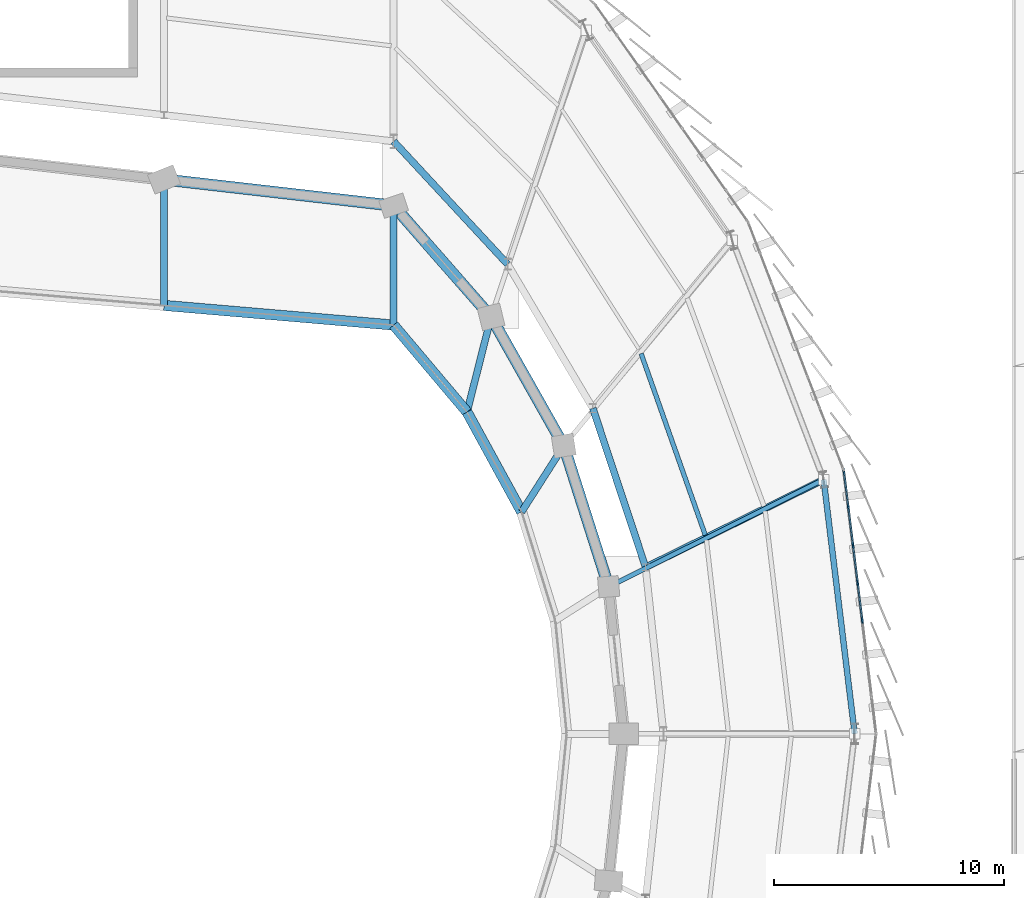
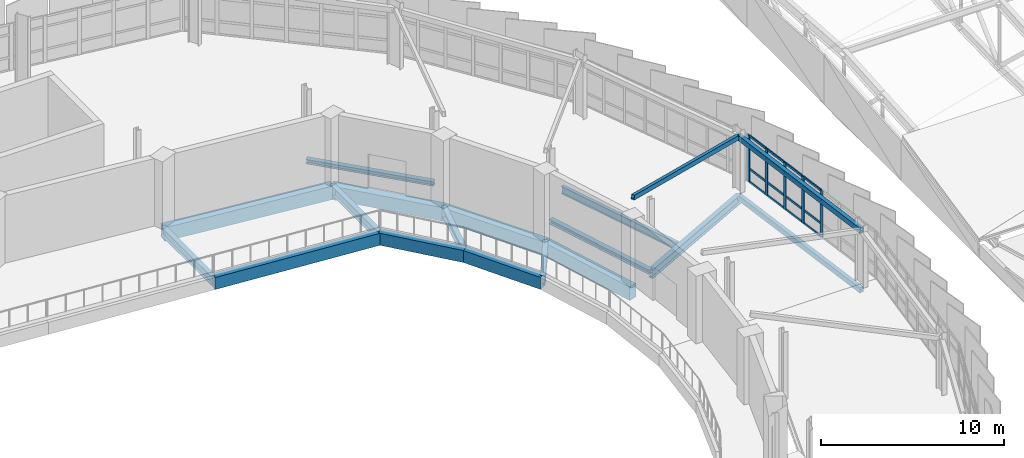
# One storey, part 45 of 87: 23 members, 16 beams, 1 element without a shape of its own.
"""IFC4 building model written with IfcOpenShell, lengths in metres."""

from ifc_helpers import new_model, si_unit, direction, frame, origin, origin_2d, place, context, subcontext, project, spatial, rectangle, hollow_rectangle, i_section, extrude, material, layer, layer_set, material_profile, profile_set, type_object, element, aggregate, save


model = new_model("IFC4")

# Units and contexts
model_context = context("Model", 3, precision=1e-05, world=origin(), true_north=direction((0.0, 1.0)))
body_context = subcontext(model_context, "Body", "Model", "MODEL_VIEW")
ifc_project = project(units=[si_unit("LENGTHUNIT", "METRE"), si_unit("AREAUNIT", "SQUARE_METRE"), si_unit("VOLUMEUNIT", "CUBIC_METRE"), si_unit("PLANEANGLEUNIT", "RADIAN"), si_unit("MASSUNIT", "GRAM", prefix="KILO")], contexts=[model_context])

# Site, building, storey
site_placement = place(None, origin())
site = spatial("IfcSite", under=ifc_project, at=site_placement, CompositionType="ELEMENT")
building_placement = place(site_placement, origin())
building = spatial("IfcBuilding", under=site, at=building_placement, Name="Sohan Crest Arena", CompositionType="ELEMENT")
storey_placement = place(building_placement, frame((0.0, 0.0, 18.0)))
storey = spatial("IfcBuildingStorey", under=building, at=storey_placement, Name="L04", CompositionType="ELEMENT", Elevation=18.0)

# Curtain wall, members
ifc_material_1 = material(Name="Thermally broken anodised aluminium", Category="aluminium")
ifc_layer = layer(ifc_material_1, 0.2099609375, Name="Thermally broken anodised aluminium")
ifc_layer_set = layer_set([ifc_layer], Name="Thermally broken anodised aluminium")
curtain_wall_type = type_object("IfcCurtainWallType", Name="ARC-CW06", PredefinedType="NOTDEFINED", material=ifc_layer_set)
curtain_wall_placement = place(storey_placement, origin())
curtain_wall = element("IfcCurtainWall", 1, at=curtain_wall_placement, inside=storey, type_object=curtain_wall_type, Name="Unitised curtain wall CW-135", PredefinedType="NOTDEFINED")
ifc_material_profile_1 = material_profile(ifc_material_1, rectangle(XDim=0.074951171875, YDim=0.219970703125, at=origin_2d()), Name="ALU-MULL 75x220")
ifc_profile_set_1 = profile_set([ifc_material_profile_1], Name="Thermally broken anodised aluminium")
member_type_1 = type_object("IfcMemberType", Name="ARC-CW-ML04", PredefinedType="MULLION", material=ifc_profile_set_1)
member_1_placement = place(storey_placement, frame((188.40673828125, 82.9267578125, 0.0), z_axis=(0.0, 0.0, 1.0), x_axis=(-0.992488933309, -0.122334448372, 0.0)))
member_1 = element("IfcMember", 2, at=member_1_placement, type_object=member_type_1, Name="CW-135 mullion 4", PredefinedType="MULLION", context=body_context, shape_type="SweptSolid", body=[
    extrude(rectangle(XDim=0.074951171875, YDim=0.219970703125, at=origin_2d()), origin(), (0.0, 0.0, 1.0), 3.1201171875),
])
member_2_placement = place(storey_placement, frame((188.204345703125, 84.569091796875, 0.0), z_axis=(0.0, 0.0, 1.0), x_axis=(-0.992488933309, -0.122334448372, 0.0)))
member_2 = element("IfcMember", 3, at=member_2_placement, type_object=member_type_1, Name="CW-135 mullion 5", PredefinedType="MULLION", context=body_context, shape_type="SweptSolid", body=[
    extrude(rectangle(XDim=0.074951171875, YDim=0.219970703125, at=origin_2d()), origin(), (0.0, 0.0, 1.0), 3.1201171875),
])
member_3_placement = place(storey_placement, frame((188.001953125, 86.21142578125, 0.0), z_axis=(0.0, 0.0, 1.0), x_axis=(-0.992488933309, -0.122334448372, 0.0)))
member_3 = element("IfcMember", 4, at=member_3_placement, type_object=member_type_1, Name="CW-135 mullion 6", PredefinedType="MULLION", context=body_context, shape_type="SweptSolid", body=[
    extrude(rectangle(XDim=0.074951171875, YDim=0.219970703125, at=origin_2d()), origin(), (0.0, 0.0, 1.0), 3.1201171875),
])
member_4_placement = place(storey_placement, frame((187.79931640625, 87.853759765625, 0.0), z_axis=(0.0, 0.0, 1.0), x_axis=(-0.992488933309, -0.122334448372, 0.0)))
member_4 = element("IfcMember", 5, at=member_4_placement, type_object=member_type_1, Name="CW-135 mullion 7", PredefinedType="MULLION", context=body_context, shape_type="SweptSolid", body=[
    extrude(rectangle(XDim=0.074951171875, YDim=0.219970703125, at=origin_2d()), origin(), (0.0, 0.0, 1.0), 3.1201171875),
])
member_5_placement = place(storey_placement, frame((187.6015625, 89.458740234375, 0.0), z_axis=(0.0, 0.0, 1.0), x_axis=(-0.992488933309, -0.122334448372, 0.0)))
member_5 = element("IfcMember", 6, at=member_5_placement, type_object=member_type_1, Name="CW-135 mullion 8", PredefinedType="MULLION", context=body_context, shape_type="SweptSolid", body=[
    extrude(rectangle(XDim=0.074951171875, YDim=0.219970703125, at=origin_2d()), origin(), (0.0, 0.0, 1.0), 3.1201171875),
])
ifc_material_profile_2 = material_profile(ifc_material_1, rectangle(XDim=0.070068359375, YDim=0.14990234375, at=origin_2d()), Name="ALU-TRAN 70x150")
ifc_profile_set_2 = profile_set([ifc_material_profile_2], Name="Thermally broken anodised aluminium")
member_type_2 = type_object("IfcMemberType", Name="ARC-CW-TR03", PredefinedType="USERDEFINED", material=ifc_profile_set_2)
member_6_placement = place(storey_placement, frame((188.402099609375, 82.964111328125, 0.034912109375), z_axis=(-0.122246545247, 0.99249976432, 0.0), x_axis=(-0.99249976432, -0.122246545247, 0.0)))
member_6 = element("IfcMember", 7, at=member_6_placement, type_object=member_type_2, Name="CW-135 transom 4.1", ObjectType="TRANSOM", PredefinedType="USERDEFINED", context=body_context, shape_type="SweptSolid", body=[
    extrude(rectangle(XDim=0.070068359375, YDim=0.14990234375, at=origin_2d()), origin(), (0.0, 0.0, 1.0), 1.579833984375),
])
member_7_placement = place(storey_placement, frame((188.402099609375, 82.964111328125, 0.89990234375), z_axis=(-0.122246545247, 0.99249976432, 0.0), x_axis=(-0.99249976432, -0.122246545247, 0.0)))
member_7 = element("IfcMember", 8, at=member_7_placement, type_object=member_type_2, Name="CW-135 transom 4.2", ObjectType="TRANSOM", PredefinedType="USERDEFINED", context=body_context, shape_type="SweptSolid", body=[
    extrude(rectangle(XDim=0.070068359375, YDim=0.14990234375, at=origin_2d()), origin(), (0.0, 0.0, 1.0), 1.579833984375),
])
member_8_placement = place(storey_placement, frame((188.402099609375, 82.964111328125, 2.419921875), z_axis=(-0.122246545247, 0.99249976432, 0.0), x_axis=(-0.99249976432, -0.122246545247, 0.0)))
member_8 = element("IfcMember", 9, at=member_8_placement, type_object=member_type_2, Name="CW-135 transom 4.3", ObjectType="TRANSOM", PredefinedType="USERDEFINED", context=body_context, shape_type="SweptSolid", body=[
    extrude(rectangle(XDim=0.070068359375, YDim=0.14990234375, at=origin_2d()), origin(), (0.0, 0.0, 1.0), 1.579833984375),
])
member_9_placement = place(storey_placement, frame((188.402099609375, 82.964111328125, 3.0849609375), z_axis=(-0.122246545247, 0.99249976432, 0.0), x_axis=(-0.99249976432, -0.122246545247, 0.0)))
member_9 = element("IfcMember", 10, at=member_9_placement, type_object=member_type_2, Name="CW-135 transom 4.4", ObjectType="TRANSOM", PredefinedType="USERDEFINED", context=body_context, shape_type="SweptSolid", body=[
    extrude(rectangle(XDim=0.070068359375, YDim=0.14990234375, at=origin_2d()), origin(), (0.0, 0.0, 1.0), 1.579833984375),
])
member_10_placement = place(storey_placement, frame((188.19970703125, 84.6064453125, 0.034912109375), z_axis=(-0.122398778183, 0.992481001883, 0.0), x_axis=(-0.992481001883, -0.122398778183, 0.0)))
member_10 = element("IfcMember", 11, at=member_10_placement, type_object=member_type_2, Name="CW-135 transom 5.1", ObjectType="TRANSOM", PredefinedType="USERDEFINED", context=body_context, shape_type="SweptSolid", body=[
    extrude(rectangle(XDim=0.070068359375, YDim=0.14990234375, at=origin_2d()), origin(), (0.0, 0.0, 1.0), 1.579833984375),
])
member_11_placement = place(storey_placement, frame((188.19970703125, 84.6064453125, 0.89990234375), z_axis=(-0.122398778183, 0.992481001883, 0.0), x_axis=(-0.992481001883, -0.122398778183, 0.0)))
member_11 = element("IfcMember", 12, at=member_11_placement, type_object=member_type_2, Name="CW-135 transom 5.2", ObjectType="TRANSOM", PredefinedType="USERDEFINED", context=body_context, shape_type="SweptSolid", body=[
    extrude(rectangle(XDim=0.070068359375, YDim=0.14990234375, at=origin_2d()), origin(), (0.0, 0.0, 1.0), 1.579833984375),
])
member_12_placement = place(storey_placement, frame((188.19970703125, 84.6064453125, 2.419921875), z_axis=(-0.122398778183, 0.992481001883, 0.0), x_axis=(-0.992481001883, -0.122398778183, 0.0)))
member_12 = element("IfcMember", 13, at=member_12_placement, type_object=member_type_2, Name="CW-135 transom 5.3", ObjectType="TRANSOM", PredefinedType="USERDEFINED", context=body_context, shape_type="SweptSolid", body=[
    extrude(rectangle(XDim=0.070068359375, YDim=0.14990234375, at=origin_2d()), origin(), (0.0, 0.0, 1.0), 1.579833984375),
])
member_13_placement = place(storey_placement, frame((188.19970703125, 84.6064453125, 3.0849609375), z_axis=(-0.122398778183, 0.992481001883, 0.0), x_axis=(-0.992481001883, -0.122398778183, 0.0)))
member_13 = element("IfcMember", 14, at=member_13_placement, type_object=member_type_2, Name="CW-135 transom 5.4", ObjectType="TRANSOM", PredefinedType="USERDEFINED", context=body_context, shape_type="SweptSolid", body=[
    extrude(rectangle(XDim=0.070068359375, YDim=0.14990234375, at=origin_2d()), origin(), (0.0, 0.0, 1.0), 1.579833984375),
])
member_14_placement = place(storey_placement, frame((187.997314453125, 86.24853515625, 0.034912109375), z_axis=(-0.122398778183, 0.992481001883, 0.0), x_axis=(-0.992481001883, -0.122398778183, 0.0)))
member_14 = element("IfcMember", 15, at=member_14_placement, type_object=member_type_2, Name="CW-135 transom 6.1", ObjectType="TRANSOM", PredefinedType="USERDEFINED", context=body_context, shape_type="SweptSolid", body=[
    extrude(rectangle(XDim=0.070068359375, YDim=0.14990234375, at=origin_2d()), origin(), (0.0, 0.0, 1.0), 1.579833984375),
])
member_15_placement = place(storey_placement, frame((187.997314453125, 86.24853515625, 0.89990234375), z_axis=(-0.122398778183, 0.992481001883, 0.0), x_axis=(-0.992481001883, -0.122398778183, 0.0)))
member_15 = element("IfcMember", 16, at=member_15_placement, type_object=member_type_2, Name="CW-135 transom 6.2", ObjectType="TRANSOM", PredefinedType="USERDEFINED", context=body_context, shape_type="SweptSolid", body=[
    extrude(rectangle(XDim=0.070068359375, YDim=0.14990234375, at=origin_2d()), origin(), (0.0, 0.0, 1.0), 1.579833984375),
])
member_16_placement = place(storey_placement, frame((187.997314453125, 86.24853515625, 2.419921875), z_axis=(-0.122398778183, 0.992481001883, 0.0), x_axis=(-0.992481001883, -0.122398778183, 0.0)))
member_16 = element("IfcMember", 17, at=member_16_placement, type_object=member_type_2, Name="CW-135 transom 6.3", ObjectType="TRANSOM", PredefinedType="USERDEFINED", context=body_context, shape_type="SweptSolid", body=[
    extrude(rectangle(XDim=0.070068359375, YDim=0.14990234375, at=origin_2d()), origin(), (0.0, 0.0, 1.0), 1.579833984375),
])
member_17_placement = place(storey_placement, frame((187.997314453125, 86.24853515625, 3.0849609375), z_axis=(-0.122398778183, 0.992481001883, 0.0), x_axis=(-0.992481001883, -0.122398778183, 0.0)))
member_17 = element("IfcMember", 18, at=member_17_placement, type_object=member_type_2, Name="CW-135 transom 6.4", ObjectType="TRANSOM", PredefinedType="USERDEFINED", context=body_context, shape_type="SweptSolid", body=[
    extrude(rectangle(XDim=0.070068359375, YDim=0.14990234375, at=origin_2d()), origin(), (0.0, 0.0, 1.0), 1.579833984375),
])
member_18_placement = place(storey_placement, frame((187.794921875, 87.890869140625, 0.034912109375), z_axis=(-0.122359106189, 0.992485893669, 0.0), x_axis=(-0.992485893669, -0.122359106189, 0.0)))
member_18 = element("IfcMember", 19, at=member_18_placement, type_object=member_type_2, Name="CW-135 transom 7.1", ObjectType="TRANSOM", PredefinedType="USERDEFINED", context=body_context, shape_type="SweptSolid", body=[
    extrude(rectangle(XDim=0.070068359375, YDim=0.14990234375, at=origin_2d()), origin(), (0.0, 0.0, 1.0), 1.542236328125),
])
member_19_placement = place(storey_placement, frame((187.794921875, 87.890869140625, 0.89990234375), z_axis=(-0.122359106189, 0.992485893669, 0.0), x_axis=(-0.992485893669, -0.122359106189, 0.0)))
member_19 = element("IfcMember", 20, at=member_19_placement, type_object=member_type_2, Name="CW-135 transom 7.2", ObjectType="TRANSOM", PredefinedType="USERDEFINED", context=body_context, shape_type="SweptSolid", body=[
    extrude(rectangle(XDim=0.070068359375, YDim=0.14990234375, at=origin_2d()), origin(), (0.0, 0.0, 1.0), 1.542236328125),
])
member_20_placement = place(storey_placement, frame((187.794921875, 87.890869140625, 2.419921875), z_axis=(-0.122359106189, 0.992485893669, 0.0), x_axis=(-0.992485893669, -0.122359106189, 0.0)))
member_20 = element("IfcMember", 21, at=member_20_placement, type_object=member_type_2, Name="CW-135 transom 7.3", ObjectType="TRANSOM", PredefinedType="USERDEFINED", context=body_context, shape_type="SweptSolid", body=[
    extrude(rectangle(XDim=0.070068359375, YDim=0.14990234375, at=origin_2d()), origin(), (0.0, 0.0, 1.0), 1.542236328125),
])
member_21_placement = place(storey_placement, frame((187.794921875, 87.890869140625, 3.0849609375), z_axis=(-0.122359106189, 0.992485893669, 0.0), x_axis=(-0.992485893669, -0.122359106189, 0.0)))
member_21 = element("IfcMember", 22, at=member_21_placement, type_object=member_type_2, Name="CW-135 transom 7.4", ObjectType="TRANSOM", PredefinedType="USERDEFINED", context=body_context, shape_type="SweptSolid", body=[
    extrude(rectangle(XDim=0.070068359375, YDim=0.14990234375, at=origin_2d()), origin(), (0.0, 0.0, 1.0), 1.542236328125),
])
aggregate(curtain_wall, [member_1, member_2, member_3, member_4, member_5, member_6, member_7, member_8, member_9, member_10, member_11, member_12, member_13, member_14, member_15, member_16, member_17, member_18, member_19, member_20, member_21])

# Beams
ifc_material_2 = material(Name="Steel S355", Category="steel")
ifc_material_profile_3 = material_profile(ifc_material_2, i_section(OverallWidth=0.199951171875, OverallDepth=0.5, WebThickness=0.01025390625, FlangeThickness=0.01611328125, at=origin_2d()), Name="IPE 500")
ifc_profile_set_3 = profile_set([ifc_material_profile_3], Name="Steel S355")
beam_type_1 = type_object("IfcBeamType", Name="STR-BM-B05", PredefinedType="JOIST", material=ifc_profile_set_3)
beam_1_placement = place(storey_placement, frame((181.571044921875, 86.654052734375, -0.5), z_axis=(-0.333403454645, 0.942784247021, 0.0), x_axis=(-0.942784247021, -0.333403454645, 0.0)))
element("IfcBeam", 23, at=beam_1_placement, inside=storey, type_object=beam_type_1, Name="Structural beam J-L04-1662", PredefinedType="JOIST", context=body_context, shape_type="SweptSolid", body=[
    extrude(i_section(OverallWidth=0.199951171875, OverallDepth=0.5, WebThickness=0.01025390625, FlangeThickness=0.01611328125, at=origin_2d()), origin(), (0.0, 0.0, 1.0), 8.3837890625),
])
ifc_material_profile_4 = material_profile(ifc_material_2, i_section(OverallWidth=0.300048828125, OverallDepth=0.590087890625, WebThickness=0.012939453125, FlangeThickness=0.02490234375, at=origin_2d()), Name="HEA 600")
ifc_profile_set_4 = profile_set([ifc_material_profile_4], Name="Steel S355")
beam_type_2 = type_object("IfcBeamType", Name="STR-BM-B11", PredefinedType="BEAM", material=ifc_profile_set_4)
beam_2_placement = place(storey_placement, frame((173.571044921875, 87.6640625, -0.544921875), z_axis=(0.537836706891, 0.843049035775, 0.0), x_axis=(-0.843049035775, 0.537836706891, 0.0)))
element("IfcBeam", 24, at=beam_2_placement, inside=storey, type_object=beam_type_2, Name="Structural beam G-L04-0634", PredefinedType="BEAM", context=body_context, shape_type="SweptSolid", body=[
    extrude(i_section(OverallWidth=0.300048828125, OverallDepth=0.590087890625, WebThickness=0.012939453125, FlangeThickness=0.02490234375, at=origin_2d()), origin(), (0.0, 0.0, 1.0), 3.417236328125),
])
beam_3_placement = place(storey_placement, frame((171.194091796875, 92.011962890625, -0.544921875), z_axis=(0.245465367753, 0.969405360638, 0.0), x_axis=(-0.969405360638, 0.245465367753, 0.0)))
element("IfcBeam", 25, at=beam_3_placement, inside=storey, type_object=beam_type_2, Name="Structural beam G-L04-0656", PredefinedType="BEAM", context=body_context, shape_type="SweptSolid", body=[
    extrude(i_section(OverallWidth=0.300048828125, OverallDepth=0.590087890625, WebThickness=0.012939453125, FlangeThickness=0.02490234375, at=origin_2d()), origin(), (0.0, 0.0, 1.0), 4.272705078125),
])
beam_4_placement = place(storey_placement, frame((168.0, 95.800048828125, -0.544921875), z_axis=(0.0, 1.0, 0.0), x_axis=(-1.0, 0.0, 0.0)))
element("IfcBeam", 26, at=beam_4_placement, inside=storey, type_object=beam_type_2, Name="Structural beam G-L04-0678", PredefinedType="BEAM", context=body_context, shape_type="SweptSolid", body=[
    extrude(i_section(OverallWidth=0.300048828125, OverallDepth=0.590087890625, WebThickness=0.012939453125, FlangeThickness=0.02490234375, at=origin_2d()), origin(), (0.0, 0.0, 1.0), 5.199951171875),
])
beam_5_placement = place(storey_placement, frame((158.0, 96.656982421875, -0.544921875), z_axis=(0.0, 1.0, 0.0), x_axis=(-1.0, 0.0, 0.0)))
element("IfcBeam", 27, at=beam_5_placement, inside=storey, type_object=beam_type_2, Name="Structural beam G-L04-0700", PredefinedType="BEAM", context=body_context, shape_type="SweptSolid", body=[
    extrude(i_section(OverallWidth=0.300048828125, OverallDepth=0.590087890625, WebThickness=0.012939453125, FlangeThickness=0.02490234375, at=origin_2d()), origin(), (0.0, 0.0, 1.0), 5.486083984375),
])
beam_6_placement = place(storey_placement, frame((178.971923828125, 85.251953125, -0.544921875), z_axis=(0.897117109087, 0.441792816356, 0.0), x_axis=(-0.441792816356, 0.897117109087, 0.0)))
element("IfcBeam", 28, at=beam_6_placement, inside=storey, type_object=beam_type_2, Name="Structural beam G-L04-1659", PredefinedType="BEAM", context=body_context, shape_type="SweptSolid", body=[
    extrude(i_section(OverallWidth=0.300048828125, OverallDepth=0.590087890625, WebThickness=0.012939453125, FlangeThickness=0.02490234375, at=origin_2d()), origin(), (0.0, 0.0, 1.0), 8.642333984375),
])
ifc_material_profile_5 = material_profile(ifc_material_2, i_section(OverallWidth=0.300048828125, OverallDepth=0.300048828125, WebThickness=0.010986328125, FlangeThickness=0.01904296875, at=origin_2d()), Name="HEB 300")
ifc_profile_set_5 = profile_set([ifc_material_profile_5], Name="Steel S355")
beam_type_3 = type_object("IfcBeamType", Name="STR-BM-B12", PredefinedType="BEAM", material=ifc_profile_set_5)
beam_7_placement = place(storey_placement, frame((178.971923828125, 85.251953125, -0.39990234375), z_axis=(-0.315012572955, 0.949087498011, 0.0), x_axis=(-0.949087498011, -0.315012572955, 0.0)))
element("IfcBeam", 29, at=beam_7_placement, inside=storey, type_object=beam_type_3, Name="Structural beam G-L04-1660", PredefinedType="BEAM", context=body_context, shape_type="SweptSolid", body=[
    extrude(i_section(OverallWidth=0.300048828125, OverallDepth=0.300048828125, WebThickness=0.010986328125, FlangeThickness=0.01904296875, at=origin_2d()), origin(), (0.0, 0.0, 1.0), 7.29443359375),
])
beam_8_placement = place(storey_placement, frame((172.9609375, 98.452880859375, -0.39990234375), z_axis=(-0.680135214567, 0.733086686488, 0.0), x_axis=(-0.733086686488, -0.680135214567, 0.0)))
element("IfcBeam", 30, at=beam_8_placement, inside=storey, type_object=beam_type_3, Name="Structural beam G-L04-1670", PredefinedType="BEAM", context=body_context, shape_type="SweptSolid", body=[
    extrude(i_section(OverallWidth=0.300048828125, OverallDepth=0.300048828125, WebThickness=0.010986328125, FlangeThickness=0.01904296875, at=origin_2d()), origin(), (0.0, 0.0, 1.0), 7.2939453125),
])
ifc_material_profile_6 = material_profile(ifc_material_2, hollow_rectangle(XDim=0.25, YDim=0.35009765625, WallThickness=0.012451171875, at=origin_2d()), Name="RHS 350x250x12.5")
ifc_profile_set_6 = profile_set([ifc_material_profile_6], Name="Steel S355")
beam_type_4 = type_object("IfcBeamType", Name="STR-BM-SP04", PredefinedType="SPANDREL", material=ifc_profile_set_6)
beam_9_placement = place(storey_placement, frame((188.076904296875, 78.0, -0.425048828125), z_axis=(-0.121213260401, 0.992626488415, 0.0), x_axis=(-0.992626488415, -0.121213260401, 0.0)))
element("IfcBeam", 31, at=beam_9_placement, inside=storey, type_object=beam_type_4, Name="Structural beam SP-L04-1656", PredefinedType="SPANDREL", context=body_context, shape_type="SweptSolid", body=[
    extrude(hollow_rectangle(XDim=0.25, YDim=0.35009765625, WallThickness=0.012451171875, at=origin_2d()), origin(), (0.0, 0.0, 1.0), 11.15234375),
])
ifc_material_3 = material(Name="Concrete C40/50", Category="concrete")
ifc_material_profile_7 = material_profile(ifc_material_3, rectangle(XDim=0.449951171875, YDim=0.800048828125, at=origin_2d()), Name="RC-BM 450x800")
ifc_profile_set_7 = profile_set([ifc_material_profile_7], Name="Concrete C40/50")
beam_type_5 = type_object("IfcBeamType", Name="STR-BM-TB02", PredefinedType="BEAM", material=ifc_profile_set_7)
beam_10_placement = place(storey_placement, frame((173.571044921875, 87.6640625, -0.64990234375), z_axis=(-0.479687297687, 0.877439511555, 0.0), x_axis=(-0.877439511555, -0.479687297687, 0.0)))
element("IfcBeam", 32, at=beam_10_placement, inside=storey, type_object=beam_type_5, Name="Structural beam TB-L04-0632", PredefinedType="BEAM", context=body_context, shape_type="SweptSolid", body=[
    extrude(rectangle(XDim=0.449951171875, YDim=0.800048828125, at=origin_2d()), origin(), (0.0, 0.0, 1.0), 4.955322265625),
])
beam_11_placement = place(storey_placement, frame((171.194091796875, 92.011962890625, -0.64990234375), z_axis=(-0.644622663131, 0.764500897435, 0.0), x_axis=(-0.764500897435, -0.644622663131, 0.0)))
element("IfcBeam", 33, at=beam_11_placement, inside=storey, type_object=beam_type_5, Name="Structural beam TB-L04-0654", PredefinedType="BEAM", context=body_context, shape_type="SweptSolid", body=[
    extrude(rectangle(XDim=0.449951171875, YDim=0.800048828125, at=origin_2d()), origin(), (0.0, 0.0, 1.0), 4.955078125),
])
beam_12_placement = place(storey_placement, frame((168.0, 95.800048828125, -0.64990234375), z_axis=(-0.996348422929, 0.085380443469, 0.0), x_axis=(-0.085380443469, -0.996348422929, 0.0)))
element("IfcBeam", 34, at=beam_12_placement, inside=storey, type_object=beam_type_5, Name="Structural beam TB-L04-0676", PredefinedType="BEAM", context=body_context, shape_type="SweptSolid", body=[
    extrude(rectangle(XDim=0.449951171875, YDim=0.800048828125, at=origin_2d()), origin(), (0.0, 0.0, 1.0), 10.03662109375),
])
ifc_material_profile_8 = material_profile(ifc_material_3, rectangle(XDim=0.5, YDim=0.89990234375, at=origin_2d()), Name="RC-BM 500x900")
ifc_profile_set_8 = profile_set([ifc_material_profile_8], Name="Concrete C40/50")
beam_type_6 = type_object("IfcBeamType", Name="STR-BM-TB03", PredefinedType="BEAM", material=ifc_profile_set_8)
beam_13_placement = place(storey_placement, frame((177.363037109375, 84.406982421875, -0.699951171875), z_axis=(-0.303361657972, 0.952875492639, 0.0), x_axis=(-0.952875492639, -0.303361657972, 0.0)))
element("IfcBeam", 35, at=beam_13_placement, inside=storey, type_object=beam_type_6, Name="Structural beam TB-L04-0610", PredefinedType="BEAM", context=body_context, shape_type="SweptSolid", body=[
    extrude(rectangle(XDim=0.5, YDim=0.89990234375, at=origin_2d()), origin(), (0.0, 0.0, 1.0), 6.44140625),
])
for number, where, z_axis, x_axis, name in (
    (36, (175.408935546875, 90.544921875, -0.699951171875), (-0.491543833039, 0.870852834985, 0.0), (-0.870852834985, -0.491543833039, 0.0), "Structural beam TB-L04-0633"),
    (37, (172.242919921875, 96.154052734375, -0.699951171875), (-0.658743407002, 0.752367678553, 0.0), (-0.752367678553, -0.658743407002, 0.0), "Structural beam TB-L04-0655"),
):
    element("IfcBeam", number, at=place(storey_placement, frame(where, z_axis=z_axis, x_axis=x_axis)), inside=storey, type_object=beam_type_6, Name=name, PredefinedType="BEAM", context=body_context, shape_type="SweptSolid", body=[
        extrude(rectangle(XDim=0.5, YDim=0.89990234375, at=origin_2d()), origin(), (0.0, 0.0, 1.0), 6.44091796875),
    ])
beam_14_placement = place(storey_placement, frame((168.0, 101.0, -0.699951171875), z_axis=(-0.99353032697, 0.113567114035, 0.0), x_axis=(-0.113567114035, -0.99353032697, 0.0)))
element("IfcBeam", 38, at=beam_14_placement, inside=storey, type_object=beam_type_6, Name="Structural beam TB-L04-0677", PredefinedType="BEAM", context=body_context, shape_type="SweptSolid", body=[
    extrude(rectangle(XDim=0.5, YDim=0.89990234375, at=origin_2d()), origin(), (0.0, 0.0, 1.0), 10.065185546875),
])

# Members
ifc_material_profile_9 = material_profile(ifc_material_2, hollow_rectangle(XDim=0.199951171875, YDim=0.300048828125, WallThickness=0.010009765625, at=origin_2d()), Name="RHS 300x200x10")
ifc_profile_set_9 = profile_set([ifc_material_profile_9], Name="Steel S355")
member_type_3 = type_object("IfcMemberType", Name="STR-MEM-CH03", PredefinedType="CHORD", material=ifc_profile_set_9)
member_22_placement = place(storey_placement, frame((177.363037109375, 84.406982421875, 5.614013671875), z_axis=(0.878398049663, 0.437515392301, -0.192346426657), x_axis=(-0.445840533691, 0.895112405521, 0.0)))
element("IfcMember", 39, at=member_22_placement, inside=storey, type_object=member_type_3, Name="Outer roof-edge radial tie chord ORT-25", PredefinedType="CHORD", context=body_context, shape_type="SweptSolid", body=[
    extrude(hollow_rectangle(XDim=0.199951171875, YDim=0.300048828125, WallThickness=0.010009765625, at=origin_2d()), origin(), (0.0, 0.0, 1.0), 10.658203125),
])
ifc_material_profile_10 = material_profile(ifc_material_2, hollow_rectangle(XDim=0.25, YDim=0.35009765625, WallThickness=0.012451171875, at=origin_2d()), Name="RHS 350x250x12.5")
ifc_profile_set_10 = profile_set([ifc_material_profile_10], Name="Steel S355")
member_type_4 = type_object("IfcMemberType", Name="STR-MEM-CH04", PredefinedType="CHORD", material=ifc_profile_set_10)
member_23_placement = place(storey_placement, frame((188.076904296875, 78.0, 3.550048828125), z_axis=(-0.121213166034, 0.992625715634, 0.001247814785), x_axis=(-0.992626488415, -0.121213260401, 0.0)))
element("IfcMember", 40, at=member_23_placement, inside=storey, type_object=member_type_4, Name="Outer roof-edge truss chord ORB-24", PredefinedType="CHORD", context=body_context, shape_type="SweptSolid", body=[
    extrude(hollow_rectangle(XDim=0.25, YDim=0.35009765625, WallThickness=0.012451171875, at=origin_2d()), origin(), (0.0, 0.0, 1.0), 11.15234375),
])

save(model, "model.ifc")
